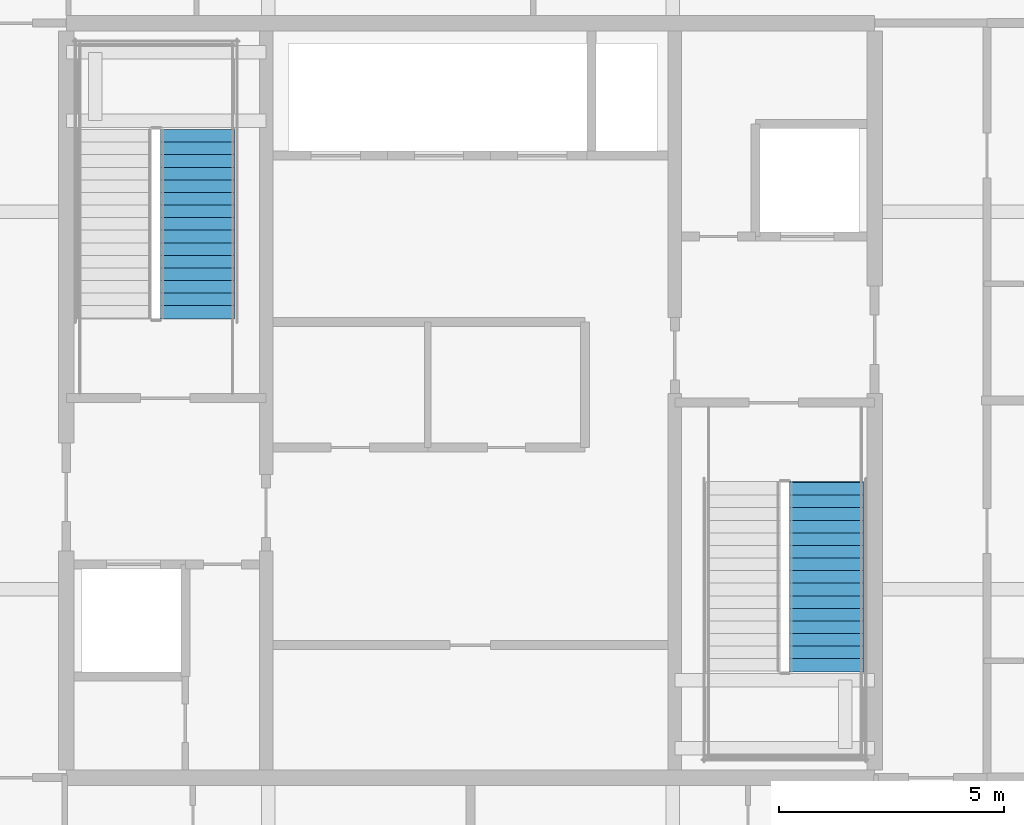
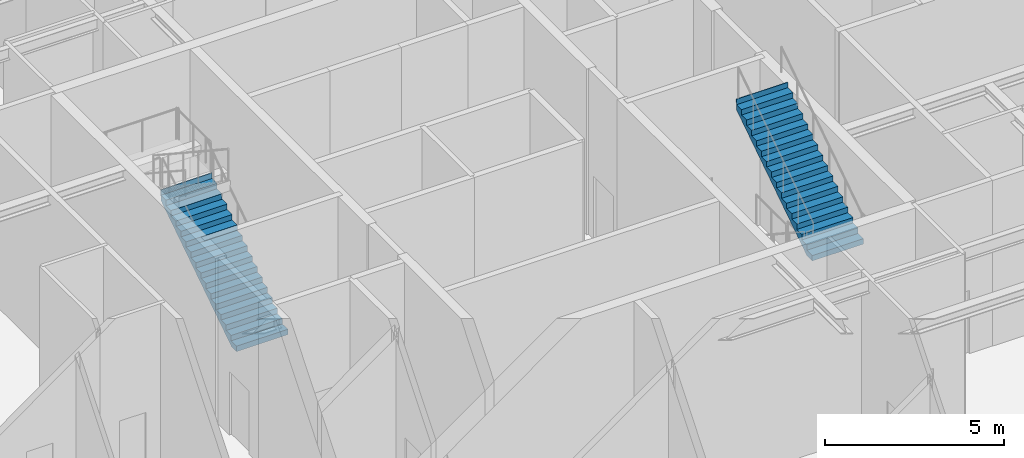
# One storey, part 33 of 40: 2 stair flights, 2 elements without a shape of their own.
"""IFC4 building model written with IfcOpenShell, lengths in metres."""

from ifc_helpers import new_model, si_unit, direction, frame, origin, place, context, subcontext, project, spatial, polygons, material, type_object, element, aggregate, save


model = new_model("IFC4")

# Units and contexts
model_context = context("Model", 3, precision=1e-05, world=origin(), true_north=direction((0.0, 1.0)))
body_context = subcontext(model_context, "Body", "Model", "MODEL_VIEW")
ifc_project = project(units=[si_unit("LENGTHUNIT", "METRE"), si_unit("AREAUNIT", "SQUARE_METRE"), si_unit("VOLUMEUNIT", "CUBIC_METRE"), si_unit("PLANEANGLEUNIT", "RADIAN"), si_unit("MASSUNIT", "GRAM", prefix="KILO")], contexts=[model_context])

# Site, building, storey
site_placement = place(None, origin())
site = spatial("IfcSite", under=ifc_project, at=site_placement, CompositionType="ELEMENT")
building_placement = place(site_placement, origin())
building = spatial("IfcBuilding", under=site, at=building_placement, Name="Serunith Strait Residences", CompositionType="ELEMENT")
storey_placement = place(building_placement, frame((0.0, 0.0, 347.949951171875)))
storey = spatial("IfcBuildingStorey", under=building, at=storey_placement, Name="L86", CompositionType="ELEMENT", Elevation=347.949951171875)

# Stair, stair flight
ifc_material = material(Name="Concrete C50/60", Category="concrete")
stair_type_1 = type_object("IfcStairType", Name="STR-CORE-1", PredefinedType="HALF_TURN_STAIR", material=ifc_material)
stair_1_placement = place(storey_placement, origin())
stair_1 = element("IfcStair", 1, at=stair_1_placement, inside=storey, type_object=stair_type_1, Name="L86 Protected Escape Stair ST-1", PredefinedType="HALF_TURN_STAIR")
stair_flight_type_1 = type_object("IfcStairFlightType", Name="FLT-CORE-1", PredefinedType="STRAIGHT", material=ifc_material)
stair_flight_1_placement = place(storey_placement, frame((26.324951171875, 27.030029296875, 0.0), z_axis=(0.0, 0.0, 1.0), x_axis=(0.0, 1.0, 0.0)))
stair_flight_1 = element("IfcStairFlight", 2, at=stair_flight_1_placement, type_object=stair_flight_type_1, Name="ST-1 flight 1", NumberOfRisers=16, NumberOfTreads=15, PredefinedType="STRAIGHT", RiserHeight=0.184375, TreadLength=0.28, context=body_context, shape_type="Tessellation", body=[
    polygons([(-0.02001953125, -0.824951171875, 0.0), (-0.02001953125, -0.824951171875, 0.184326171875), (0.280029296875, -0.824951171875, 0.184326171875), (0.280029296875, -0.824951171875, 0.36865234375), (0.56005859375, -0.824951171875, 0.36865234375), (0.56005859375, -0.824951171875, 0.55322265625), (0.840087890625, -0.824951171875, 0.55322265625), (0.840087890625, -0.824951171875, 0.737548828125), (1.1201171875, -0.824951171875, 0.737548828125), (1.1201171875, -0.824951171875, 0.921875), (1.39990234375, -0.824951171875, 0.921875), (1.39990234375, -0.824951171875, 1.106201171875), (1.679931640625, -0.824951171875, 1.106201171875), (1.679931640625, -0.824951171875, 1.29052734375), (1.9599609375, -0.824951171875, 1.29052734375), (1.9599609375, -0.824951171875, 1.47509765625), (2.239990234375, -0.824951171875, 1.47509765625), (2.239990234375, -0.824951171875, 1.659423828125), (2.52001953125, -0.824951171875, 1.659423828125), (2.52001953125, -0.824951171875, 1.84375), (2.800048828125, -0.824951171875, 1.84375), (2.800048828125, -0.824951171875, 2.028076171875), (3.080078125, -0.824951171875, 2.028076171875), (3.080078125, -0.824951171875, 2.21240234375), (3.360107421875, -0.824951171875, 2.21240234375), (3.360107421875, -0.824951171875, 2.39697265625), (3.639892578125, -0.824951171875, 2.39697265625), (3.639892578125, -0.824951171875, 2.581298828125), (3.919921875, -0.824951171875, 2.581298828125), (3.919921875, -0.824951171875, 2.765625), (4.199951171875, -0.824951171875, 2.765625), (4.199951171875, -0.824951171875, 2.949951171875), (4.219970703125, -0.824951171875, 2.949951171875), (4.219970703125, -0.824951171875, 2.889892578125), (4.199951171875, -0.824951171875, 2.586181640625), (0.2724609375, -0.824951171875, 0.0), (-0.02001953125, -0.41259765625, 0.0), (-0.02001953125, -0.41259765625, 0.184326171875), (0.280029296875, -0.41259765625, 0.184326171875), (0.280029296875, -0.41259765625, 0.36865234375), (0.56005859375, -0.41259765625, 0.36865234375), (0.56005859375, -0.41259765625, 0.55322265625), (0.840087890625, -0.41259765625, 0.55322265625), (0.840087890625, -0.41259765625, 0.737548828125), (1.1201171875, -0.41259765625, 0.737548828125), (1.1201171875, -0.41259765625, 0.921875), (1.39990234375, -0.41259765625, 0.921875), (1.39990234375, -0.41259765625, 1.106201171875), (1.679931640625, -0.41259765625, 1.106201171875), (1.679931640625, -0.41259765625, 1.29052734375), (1.9599609375, -0.41259765625, 1.29052734375), (1.9599609375, -0.41259765625, 1.47509765625), (2.239990234375, -0.41259765625, 1.47509765625), (2.239990234375, -0.41259765625, 1.659423828125), (2.52001953125, -0.41259765625, 1.659423828125), (2.52001953125, -0.41259765625, 1.84375), (2.800048828125, -0.41259765625, 1.84375), (2.800048828125, -0.41259765625, 2.028076171875), (3.080078125, -0.41259765625, 2.028076171875), (3.080078125, -0.41259765625, 2.21240234375), (3.360107421875, -0.41259765625, 2.21240234375), (3.360107421875, -0.41259765625, 2.39697265625), (3.639892578125, -0.41259765625, 2.39697265625), (3.639892578125, -0.41259765625, 2.581298828125), (3.919921875, -0.41259765625, 2.581298828125), (3.919921875, -0.41259765625, 2.765625), (4.199951171875, -0.41259765625, 2.765625), (4.199951171875, -0.41259765625, 2.949951171875), (4.219970703125, -0.41259765625, 2.949951171875), (4.219970703125, -0.41259765625, 2.889892578125), (4.199951171875, -0.41259765625, 2.586181640625), (0.2724609375, -0.41259765625, 0.0), (-0.02001953125, 0.0, 0.0), (-0.02001953125, 0.0, 0.184326171875), (0.280029296875, 0.0, 0.184326171875), (0.280029296875, 0.0, 0.36865234375), (0.56005859375, 0.0, 0.36865234375), (0.56005859375, 0.0, 0.55322265625), (0.840087890625, 0.0, 0.55322265625), (0.840087890625, 0.0, 0.737548828125), (1.1201171875, 0.0, 0.737548828125), (1.1201171875, 0.0, 0.921875), (1.39990234375, 0.0, 0.921875), (1.39990234375, 0.0, 1.106201171875), (1.679931640625, 0.0, 1.106201171875), (1.679931640625, 0.0, 1.29052734375), (1.9599609375, 0.0, 1.29052734375), (1.9599609375, 0.0, 1.47509765625), (2.239990234375, 0.0, 1.47509765625), (2.239990234375, 0.0, 1.659423828125), (2.52001953125, 0.0, 1.659423828125), (2.52001953125, 0.0, 1.84375), (2.800048828125, 0.0, 1.84375), (2.800048828125, 0.0, 2.028076171875), (3.080078125, 0.0, 2.028076171875), (3.080078125, 0.0, 2.21240234375), (3.360107421875, 0.0, 2.21240234375), (3.360107421875, 0.0, 2.39697265625), (3.639892578125, 0.0, 2.39697265625), (3.639892578125, 0.0, 2.581298828125), (3.919921875, 0.0, 2.581298828125), (3.919921875, 0.0, 2.765625), (4.199951171875, 0.0, 2.765625), (4.199951171875, 0.0, 2.949951171875), (4.219970703125, 0.0, 2.949951171875), (4.219970703125, 0.0, 2.889892578125), (4.199951171875, 0.0, 2.586181640625), (0.2724609375, 0.0, 0.0), (-0.02001953125, 0.41259765625, 0.0), (-0.02001953125, 0.41259765625, 0.184326171875), (0.280029296875, 0.41259765625, 0.184326171875), (0.280029296875, 0.41259765625, 0.36865234375), (0.56005859375, 0.41259765625, 0.36865234375), (0.56005859375, 0.41259765625, 0.55322265625), (0.840087890625, 0.41259765625, 0.55322265625), (0.840087890625, 0.41259765625, 0.737548828125), (1.1201171875, 0.41259765625, 0.737548828125), (1.1201171875, 0.41259765625, 0.921875), (1.39990234375, 0.41259765625, 0.921875), (1.39990234375, 0.41259765625, 1.106201171875), (1.679931640625, 0.41259765625, 1.106201171875), (1.679931640625, 0.41259765625, 1.29052734375), (1.9599609375, 0.41259765625, 1.29052734375), (1.9599609375, 0.41259765625, 1.47509765625), (2.239990234375, 0.41259765625, 1.47509765625), (2.239990234375, 0.41259765625, 1.659423828125), (2.52001953125, 0.41259765625, 1.659423828125), (2.52001953125, 0.41259765625, 1.84375), (2.800048828125, 0.41259765625, 1.84375), (2.800048828125, 0.41259765625, 2.028076171875), (3.080078125, 0.41259765625, 2.028076171875), (3.080078125, 0.41259765625, 2.21240234375), (3.360107421875, 0.41259765625, 2.21240234375), (3.360107421875, 0.41259765625, 2.39697265625), (3.639892578125, 0.41259765625, 2.39697265625), (3.639892578125, 0.41259765625, 2.581298828125), (3.919921875, 0.41259765625, 2.581298828125), (3.919921875, 0.41259765625, 2.765625), (4.199951171875, 0.41259765625, 2.765625), (4.199951171875, 0.41259765625, 2.949951171875), (4.219970703125, 0.41259765625, 2.949951171875), (4.219970703125, 0.41259765625, 2.889892578125), (4.199951171875, 0.41259765625, 2.586181640625), (0.2724609375, 0.41259765625, 0.0), (-0.02001953125, 0.824951171875, 0.0), (-0.02001953125, 0.824951171875, 0.184326171875), (0.280029296875, 0.824951171875, 0.184326171875), (0.280029296875, 0.824951171875, 0.36865234375), (0.56005859375, 0.824951171875, 0.36865234375), (0.56005859375, 0.824951171875, 0.55322265625), (0.840087890625, 0.824951171875, 0.55322265625), (0.840087890625, 0.824951171875, 0.737548828125), (1.1201171875, 0.824951171875, 0.737548828125), (1.1201171875, 0.824951171875, 0.921875), (1.39990234375, 0.824951171875, 0.921875), (1.39990234375, 0.824951171875, 1.106201171875), (1.679931640625, 0.824951171875, 1.106201171875), (1.679931640625, 0.824951171875, 1.29052734375), (1.9599609375, 0.824951171875, 1.29052734375), (1.9599609375, 0.824951171875, 1.47509765625), (2.239990234375, 0.824951171875, 1.47509765625), (2.239990234375, 0.824951171875, 1.659423828125), (2.52001953125, 0.824951171875, 1.659423828125), (2.52001953125, 0.824951171875, 1.84375), (2.800048828125, 0.824951171875, 1.84375), (2.800048828125, 0.824951171875, 2.028076171875), (3.080078125, 0.824951171875, 2.028076171875), (3.080078125, 0.824951171875, 2.21240234375), (3.360107421875, 0.824951171875, 2.21240234375), (3.360107421875, 0.824951171875, 2.39697265625), (3.639892578125, 0.824951171875, 2.39697265625), (3.639892578125, 0.824951171875, 2.581298828125), (3.919921875, 0.824951171875, 2.581298828125), (3.919921875, 0.824951171875, 2.765625), (4.199951171875, 0.824951171875, 2.765625), (4.199951171875, 0.824951171875, 2.949951171875), (4.219970703125, 0.824951171875, 2.949951171875), (4.219970703125, 0.824951171875, 2.889892578125), (4.199951171875, 0.824951171875, 2.586181640625), (0.2724609375, 0.824951171875, 0.0)], [[[1, 2, 38, 37]], [[2, 3, 39, 38]], [[3, 4, 40, 39]], [[4, 5, 41, 40]], [[5, 6, 42, 41]], [[6, 7, 43, 42]], [[7, 8, 44, 43]], [[8, 9, 45, 44]], [[9, 10, 46, 45]], [[10, 11, 47, 46]], [[11, 12, 48, 47]], [[12, 13, 49, 48]], [[13, 14, 50, 49]], [[14, 15, 51, 50]], [[15, 16, 52, 51]], [[16, 17, 53, 52]], [[17, 18, 54, 53]], [[18, 19, 55, 54]], [[19, 20, 56, 55]], [[20, 21, 57, 56]], [[21, 22, 58, 57]], [[22, 23, 59, 58]], [[23, 24, 60, 59]], [[24, 25, 61, 60]], [[25, 26, 62, 61]], [[26, 27, 63, 62]], [[27, 28, 64, 63]], [[28, 29, 65, 64]], [[29, 30, 66, 65]], [[30, 31, 67, 66]], [[31, 32, 68, 67]], [[32, 33, 69, 68]], [[33, 34, 70, 69]], [[34, 35, 71, 70]], [[35, 36, 72, 71]], [[36, 1, 37, 72]], [[37, 38, 74, 73]], [[38, 39, 75, 74]], [[39, 40, 76, 75]], [[40, 41, 77, 76]], [[41, 42, 78, 77]], [[42, 43, 79, 78]], [[43, 44, 80, 79]], [[44, 45, 81, 80]], [[45, 46, 82, 81]], [[46, 47, 83, 82]], [[47, 48, 84, 83]], [[48, 49, 85, 84]], [[49, 50, 86, 85]], [[50, 51, 87, 86]], [[51, 52, 88, 87]], [[52, 53, 89, 88]], [[53, 54, 90, 89]], [[54, 55, 91, 90]], [[55, 56, 92, 91]], [[56, 57, 93, 92]], [[57, 58, 94, 93]], [[58, 59, 95, 94]], [[59, 60, 96, 95]], [[60, 61, 97, 96]], [[61, 62, 98, 97]], [[62, 63, 99, 98]], [[63, 64, 100, 99]], [[64, 65, 101, 100]], [[65, 66, 102, 101]], [[66, 67, 103, 102]], [[67, 68, 104, 103]], [[68, 69, 105, 104]], [[69, 70, 106, 105]], [[70, 71, 107, 106]], [[71, 72, 108, 107]], [[72, 37, 73, 108]], [[73, 74, 110, 109]], [[74, 75, 111, 110]], [[75, 76, 112, 111]], [[76, 77, 113, 112]], [[77, 78, 114, 113]], [[78, 79, 115, 114]], [[79, 80, 116, 115]], [[80, 81, 117, 116]], [[81, 82, 118, 117]], [[82, 83, 119, 118]], [[83, 84, 120, 119]], [[84, 85, 121, 120]], [[85, 86, 122, 121]], [[86, 87, 123, 122]], [[87, 88, 124, 123]], [[88, 89, 125, 124]], [[89, 90, 126, 125]], [[90, 91, 127, 126]], [[91, 92, 128, 127]], [[92, 93, 129, 128]], [[93, 94, 130, 129]], [[94, 95, 131, 130]], [[95, 96, 132, 131]], [[96, 97, 133, 132]], [[97, 98, 134, 133]], [[98, 99, 135, 134]], [[99, 100, 136, 135]], [[100, 101, 137, 136]], [[101, 102, 138, 137]], [[102, 103, 139, 138]], [[103, 104, 140, 139]], [[104, 105, 141, 140]], [[105, 106, 142, 141]], [[106, 107, 143, 142]], [[107, 108, 144, 143]], [[108, 73, 109, 144]], [[109, 110, 146, 145]], [[110, 111, 147, 146]], [[111, 112, 148, 147]], [[112, 113, 149, 148]], [[113, 114, 150, 149]], [[114, 115, 151, 150]], [[115, 116, 152, 151]], [[116, 117, 153, 152]], [[117, 118, 154, 153]], [[118, 119, 155, 154]], [[119, 120, 156, 155]], [[120, 121, 157, 156]], [[121, 122, 158, 157]], [[122, 123, 159, 158]], [[123, 124, 160, 159]], [[124, 125, 161, 160]], [[125, 126, 162, 161]], [[126, 127, 163, 162]], [[127, 128, 164, 163]], [[128, 129, 165, 164]], [[129, 130, 166, 165]], [[130, 131, 167, 166]], [[131, 132, 168, 167]], [[132, 133, 169, 168]], [[133, 134, 170, 169]], [[134, 135, 171, 170]], [[135, 136, 172, 171]], [[136, 137, 173, 172]], [[137, 138, 174, 173]], [[138, 139, 175, 174]], [[139, 140, 176, 175]], [[140, 141, 177, 176]], [[141, 142, 178, 177]], [[142, 143, 179, 178]], [[143, 144, 180, 179]], [[144, 109, 145, 180]], [[36, 35, 34, 33, 32, 31, 30, 29, 28, 27, 26, 25, 24, 23, 22, 21, 20, 19, 18, 17, 16, 15, 14, 13, 12, 11, 10, 9, 8, 7, 6, 5, 4, 3, 2, 1]], [[145, 146, 147, 148, 149, 150, 151, 152, 153, 154, 155, 156, 157, 158, 159, 160, 161, 162, 163, 164, 165, 166, 167, 168, 169, 170, 171, 172, 173, 174, 175, 176, 177, 178, 179, 180]]], closed=True),
])
aggregate(stair_1, [stair_flight_1])

stair_type_2 = type_object("IfcStairType", Name="STR-CORE-2", PredefinedType="HALF_TURN_STAIR", material=ifc_material)
stair_2_placement = place(storey_placement, origin())
stair_2 = element("IfcStair", 3, at=stair_2_placement, inside=storey, type_object=stair_type_2, Name="L86 Protected Escape Stair ST-2", PredefinedType="HALF_TURN_STAIR")
stair_flight_type_2 = type_object("IfcStairFlightType", Name="FLT-CORE-2", PredefinedType="STRAIGHT", material=ifc_material)
stair_flight_2_placement = place(storey_placement, frame((40.324951171875, 19.169921875, 2.949951171875), z_axis=(0.0, 0.0, 1.0), x_axis=(0.0, 1.0, 0.0)))
stair_flight_2 = element("IfcStairFlight", 4, at=stair_flight_2_placement, type_object=stair_flight_type_2, Name="ST-2 flight 2", NumberOfRisers=16, NumberOfTreads=15, PredefinedType="STRAIGHT", RiserHeight=0.184375, TreadLength=0.28, context=body_context, shape_type="Tessellation", body=[
    polygons([(-0.02001953125, -0.824951171875, 0.0), (-0.02001953125, -0.824951171875, 0.184326171875), (0.280029296875, -0.824951171875, 0.184326171875), (0.280029296875, -0.824951171875, 0.36865234375), (0.56005859375, -0.824951171875, 0.36865234375), (0.56005859375, -0.824951171875, 0.55322265625), (0.840087890625, -0.824951171875, 0.55322265625), (0.840087890625, -0.824951171875, 0.737548828125), (1.1201171875, -0.824951171875, 0.737548828125), (1.1201171875, -0.824951171875, 0.921875), (1.39990234375, -0.824951171875, 0.921875), (1.39990234375, -0.824951171875, 1.106201171875), (1.679931640625, -0.824951171875, 1.106201171875), (1.679931640625, -0.824951171875, 1.29052734375), (1.9599609375, -0.824951171875, 1.29052734375), (1.9599609375, -0.824951171875, 1.47509765625), (2.239990234375, -0.824951171875, 1.47509765625), (2.239990234375, -0.824951171875, 1.659423828125), (2.52001953125, -0.824951171875, 1.659423828125), (2.52001953125, -0.824951171875, 1.84375), (2.800048828125, -0.824951171875, 1.84375), (2.800048828125, -0.824951171875, 2.028076171875), (3.080078125, -0.824951171875, 2.028076171875), (3.080078125, -0.824951171875, 2.21240234375), (3.360107421875, -0.824951171875, 2.21240234375), (3.360107421875, -0.824951171875, 2.39697265625), (3.639892578125, -0.824951171875, 2.39697265625), (3.639892578125, -0.824951171875, 2.581298828125), (3.919921875, -0.824951171875, 2.581298828125), (3.919921875, -0.824951171875, 2.765625), (4.199951171875, -0.824951171875, 2.765625), (4.199951171875, -0.824951171875, 2.949951171875), (4.219970703125, -0.824951171875, 2.949951171875), (4.219970703125, -0.824951171875, 2.889892578125), (4.199951171875, -0.824951171875, 2.586181640625), (0.2724609375, -0.824951171875, 0.0), (-0.02001953125, -0.41259765625, 0.0), (-0.02001953125, -0.41259765625, 0.184326171875), (0.280029296875, -0.41259765625, 0.184326171875), (0.280029296875, -0.41259765625, 0.36865234375), (0.56005859375, -0.41259765625, 0.36865234375), (0.56005859375, -0.41259765625, 0.55322265625), (0.840087890625, -0.41259765625, 0.55322265625), (0.840087890625, -0.41259765625, 0.737548828125), (1.1201171875, -0.41259765625, 0.737548828125), (1.1201171875, -0.41259765625, 0.921875), (1.39990234375, -0.41259765625, 0.921875), (1.39990234375, -0.41259765625, 1.106201171875), (1.679931640625, -0.41259765625, 1.106201171875), (1.679931640625, -0.41259765625, 1.29052734375), (1.9599609375, -0.41259765625, 1.29052734375), (1.9599609375, -0.41259765625, 1.47509765625), (2.239990234375, -0.41259765625, 1.47509765625), (2.239990234375, -0.41259765625, 1.659423828125), (2.52001953125, -0.41259765625, 1.659423828125), (2.52001953125, -0.41259765625, 1.84375), (2.800048828125, -0.41259765625, 1.84375), (2.800048828125, -0.41259765625, 2.028076171875), (3.080078125, -0.41259765625, 2.028076171875), (3.080078125, -0.41259765625, 2.21240234375), (3.360107421875, -0.41259765625, 2.21240234375), (3.360107421875, -0.41259765625, 2.39697265625), (3.639892578125, -0.41259765625, 2.39697265625), (3.639892578125, -0.41259765625, 2.581298828125), (3.919921875, -0.41259765625, 2.581298828125), (3.919921875, -0.41259765625, 2.765625), (4.199951171875, -0.41259765625, 2.765625), (4.199951171875, -0.41259765625, 2.949951171875), (4.219970703125, -0.41259765625, 2.949951171875), (4.219970703125, -0.41259765625, 2.889892578125), (4.199951171875, -0.41259765625, 2.586181640625), (0.2724609375, -0.41259765625, 0.0), (-0.02001953125, 0.0, 0.0), (-0.02001953125, 0.0, 0.184326171875), (0.280029296875, 0.0, 0.184326171875), (0.280029296875, 0.0, 0.36865234375), (0.56005859375, 0.0, 0.36865234375), (0.56005859375, 0.0, 0.55322265625), (0.840087890625, 0.0, 0.55322265625), (0.840087890625, 0.0, 0.737548828125), (1.1201171875, 0.0, 0.737548828125), (1.1201171875, 0.0, 0.921875), (1.39990234375, 0.0, 0.921875), (1.39990234375, 0.0, 1.106201171875), (1.679931640625, 0.0, 1.106201171875), (1.679931640625, 0.0, 1.29052734375), (1.9599609375, 0.0, 1.29052734375), (1.9599609375, 0.0, 1.47509765625), (2.239990234375, 0.0, 1.47509765625), (2.239990234375, 0.0, 1.659423828125), (2.52001953125, 0.0, 1.659423828125), (2.52001953125, 0.0, 1.84375), (2.800048828125, 0.0, 1.84375), (2.800048828125, 0.0, 2.028076171875), (3.080078125, 0.0, 2.028076171875), (3.080078125, 0.0, 2.21240234375), (3.360107421875, 0.0, 2.21240234375), (3.360107421875, 0.0, 2.39697265625), (3.639892578125, 0.0, 2.39697265625), (3.639892578125, 0.0, 2.581298828125), (3.919921875, 0.0, 2.581298828125), (3.919921875, 0.0, 2.765625), (4.199951171875, 0.0, 2.765625), (4.199951171875, 0.0, 2.949951171875), (4.219970703125, 0.0, 2.949951171875), (4.219970703125, 0.0, 2.889892578125), (4.199951171875, 0.0, 2.586181640625), (0.2724609375, 0.0, 0.0), (-0.02001953125, 0.41259765625, 0.0), (-0.02001953125, 0.41259765625, 0.184326171875), (0.280029296875, 0.41259765625, 0.184326171875), (0.280029296875, 0.41259765625, 0.36865234375), (0.56005859375, 0.41259765625, 0.36865234375), (0.56005859375, 0.41259765625, 0.55322265625), (0.840087890625, 0.41259765625, 0.55322265625), (0.840087890625, 0.41259765625, 0.737548828125), (1.1201171875, 0.41259765625, 0.737548828125), (1.1201171875, 0.41259765625, 0.921875), (1.39990234375, 0.41259765625, 0.921875), (1.39990234375, 0.41259765625, 1.106201171875), (1.679931640625, 0.41259765625, 1.106201171875), (1.679931640625, 0.41259765625, 1.29052734375), (1.9599609375, 0.41259765625, 1.29052734375), (1.9599609375, 0.41259765625, 1.47509765625), (2.239990234375, 0.41259765625, 1.47509765625), (2.239990234375, 0.41259765625, 1.659423828125), (2.52001953125, 0.41259765625, 1.659423828125), (2.52001953125, 0.41259765625, 1.84375), (2.800048828125, 0.41259765625, 1.84375), (2.800048828125, 0.41259765625, 2.028076171875), (3.080078125, 0.41259765625, 2.028076171875), (3.080078125, 0.41259765625, 2.21240234375), (3.360107421875, 0.41259765625, 2.21240234375), (3.360107421875, 0.41259765625, 2.39697265625), (3.639892578125, 0.41259765625, 2.39697265625), (3.639892578125, 0.41259765625, 2.581298828125), (3.919921875, 0.41259765625, 2.581298828125), (3.919921875, 0.41259765625, 2.765625), (4.199951171875, 0.41259765625, 2.765625), (4.199951171875, 0.41259765625, 2.949951171875), (4.219970703125, 0.41259765625, 2.949951171875), (4.219970703125, 0.41259765625, 2.889892578125), (4.199951171875, 0.41259765625, 2.586181640625), (0.2724609375, 0.41259765625, 0.0), (-0.02001953125, 0.824951171875, 0.0), (-0.02001953125, 0.824951171875, 0.184326171875), (0.280029296875, 0.824951171875, 0.184326171875), (0.280029296875, 0.824951171875, 0.36865234375), (0.56005859375, 0.824951171875, 0.36865234375), (0.56005859375, 0.824951171875, 0.55322265625), (0.840087890625, 0.824951171875, 0.55322265625), (0.840087890625, 0.824951171875, 0.737548828125), (1.1201171875, 0.824951171875, 0.737548828125), (1.1201171875, 0.824951171875, 0.921875), (1.39990234375, 0.824951171875, 0.921875), (1.39990234375, 0.824951171875, 1.106201171875), (1.679931640625, 0.824951171875, 1.106201171875), (1.679931640625, 0.824951171875, 1.29052734375), (1.9599609375, 0.824951171875, 1.29052734375), (1.9599609375, 0.824951171875, 1.47509765625), (2.239990234375, 0.824951171875, 1.47509765625), (2.239990234375, 0.824951171875, 1.659423828125), (2.52001953125, 0.824951171875, 1.659423828125), (2.52001953125, 0.824951171875, 1.84375), (2.800048828125, 0.824951171875, 1.84375), (2.800048828125, 0.824951171875, 2.028076171875), (3.080078125, 0.824951171875, 2.028076171875), (3.080078125, 0.824951171875, 2.21240234375), (3.360107421875, 0.824951171875, 2.21240234375), (3.360107421875, 0.824951171875, 2.39697265625), (3.639892578125, 0.824951171875, 2.39697265625), (3.639892578125, 0.824951171875, 2.581298828125), (3.919921875, 0.824951171875, 2.581298828125), (3.919921875, 0.824951171875, 2.765625), (4.199951171875, 0.824951171875, 2.765625), (4.199951171875, 0.824951171875, 2.949951171875), (4.219970703125, 0.824951171875, 2.949951171875), (4.219970703125, 0.824951171875, 2.889892578125), (4.199951171875, 0.824951171875, 2.586181640625), (0.2724609375, 0.824951171875, 0.0)], [[[1, 2, 38, 37]], [[2, 3, 39, 38]], [[3, 4, 40, 39]], [[4, 5, 41, 40]], [[5, 6, 42, 41]], [[6, 7, 43, 42]], [[7, 8, 44, 43]], [[8, 9, 45, 44]], [[9, 10, 46, 45]], [[10, 11, 47, 46]], [[11, 12, 48, 47]], [[12, 13, 49, 48]], [[13, 14, 50, 49]], [[14, 15, 51, 50]], [[15, 16, 52, 51]], [[16, 17, 53, 52]], [[17, 18, 54, 53]], [[18, 19, 55, 54]], [[19, 20, 56, 55]], [[20, 21, 57, 56]], [[21, 22, 58, 57]], [[22, 23, 59, 58]], [[23, 24, 60, 59]], [[24, 25, 61, 60]], [[25, 26, 62, 61]], [[26, 27, 63, 62]], [[27, 28, 64, 63]], [[28, 29, 65, 64]], [[29, 30, 66, 65]], [[30, 31, 67, 66]], [[31, 32, 68, 67]], [[32, 33, 69, 68]], [[33, 34, 70, 69]], [[34, 35, 71, 70]], [[35, 36, 72, 71]], [[36, 1, 37, 72]], [[37, 38, 74, 73]], [[38, 39, 75, 74]], [[39, 40, 76, 75]], [[40, 41, 77, 76]], [[41, 42, 78, 77]], [[42, 43, 79, 78]], [[43, 44, 80, 79]], [[44, 45, 81, 80]], [[45, 46, 82, 81]], [[46, 47, 83, 82]], [[47, 48, 84, 83]], [[48, 49, 85, 84]], [[49, 50, 86, 85]], [[50, 51, 87, 86]], [[51, 52, 88, 87]], [[52, 53, 89, 88]], [[53, 54, 90, 89]], [[54, 55, 91, 90]], [[55, 56, 92, 91]], [[56, 57, 93, 92]], [[57, 58, 94, 93]], [[58, 59, 95, 94]], [[59, 60, 96, 95]], [[60, 61, 97, 96]], [[61, 62, 98, 97]], [[62, 63, 99, 98]], [[63, 64, 100, 99]], [[64, 65, 101, 100]], [[65, 66, 102, 101]], [[66, 67, 103, 102]], [[67, 68, 104, 103]], [[68, 69, 105, 104]], [[69, 70, 106, 105]], [[70, 71, 107, 106]], [[71, 72, 108, 107]], [[72, 37, 73, 108]], [[73, 74, 110, 109]], [[74, 75, 111, 110]], [[75, 76, 112, 111]], [[76, 77, 113, 112]], [[77, 78, 114, 113]], [[78, 79, 115, 114]], [[79, 80, 116, 115]], [[80, 81, 117, 116]], [[81, 82, 118, 117]], [[82, 83, 119, 118]], [[83, 84, 120, 119]], [[84, 85, 121, 120]], [[85, 86, 122, 121]], [[86, 87, 123, 122]], [[87, 88, 124, 123]], [[88, 89, 125, 124]], [[89, 90, 126, 125]], [[90, 91, 127, 126]], [[91, 92, 128, 127]], [[92, 93, 129, 128]], [[93, 94, 130, 129]], [[94, 95, 131, 130]], [[95, 96, 132, 131]], [[96, 97, 133, 132]], [[97, 98, 134, 133]], [[98, 99, 135, 134]], [[99, 100, 136, 135]], [[100, 101, 137, 136]], [[101, 102, 138, 137]], [[102, 103, 139, 138]], [[103, 104, 140, 139]], [[104, 105, 141, 140]], [[105, 106, 142, 141]], [[106, 107, 143, 142]], [[107, 108, 144, 143]], [[108, 73, 109, 144]], [[109, 110, 146, 145]], [[110, 111, 147, 146]], [[111, 112, 148, 147]], [[112, 113, 149, 148]], [[113, 114, 150, 149]], [[114, 115, 151, 150]], [[115, 116, 152, 151]], [[116, 117, 153, 152]], [[117, 118, 154, 153]], [[118, 119, 155, 154]], [[119, 120, 156, 155]], [[120, 121, 157, 156]], [[121, 122, 158, 157]], [[122, 123, 159, 158]], [[123, 124, 160, 159]], [[124, 125, 161, 160]], [[125, 126, 162, 161]], [[126, 127, 163, 162]], [[127, 128, 164, 163]], [[128, 129, 165, 164]], [[129, 130, 166, 165]], [[130, 131, 167, 166]], [[131, 132, 168, 167]], [[132, 133, 169, 168]], [[133, 134, 170, 169]], [[134, 135, 171, 170]], [[135, 136, 172, 171]], [[136, 137, 173, 172]], [[137, 138, 174, 173]], [[138, 139, 175, 174]], [[139, 140, 176, 175]], [[140, 141, 177, 176]], [[141, 142, 178, 177]], [[142, 143, 179, 178]], [[143, 144, 180, 179]], [[144, 109, 145, 180]], [[36, 35, 34, 33, 32, 31, 30, 29, 28, 27, 26, 25, 24, 23, 22, 21, 20, 19, 18, 17, 16, 15, 14, 13, 12, 11, 10, 9, 8, 7, 6, 5, 4, 3, 2, 1]], [[145, 146, 147, 148, 149, 150, 151, 152, 153, 154, 155, 156, 157, 158, 159, 160, 161, 162, 163, 164, 165, 166, 167, 168, 169, 170, 171, 172, 173, 174, 175, 176, 177, 178, 179, 180]]], closed=True),
])
aggregate(stair_2, [stair_flight_2])

save(model, "model.ifc")
